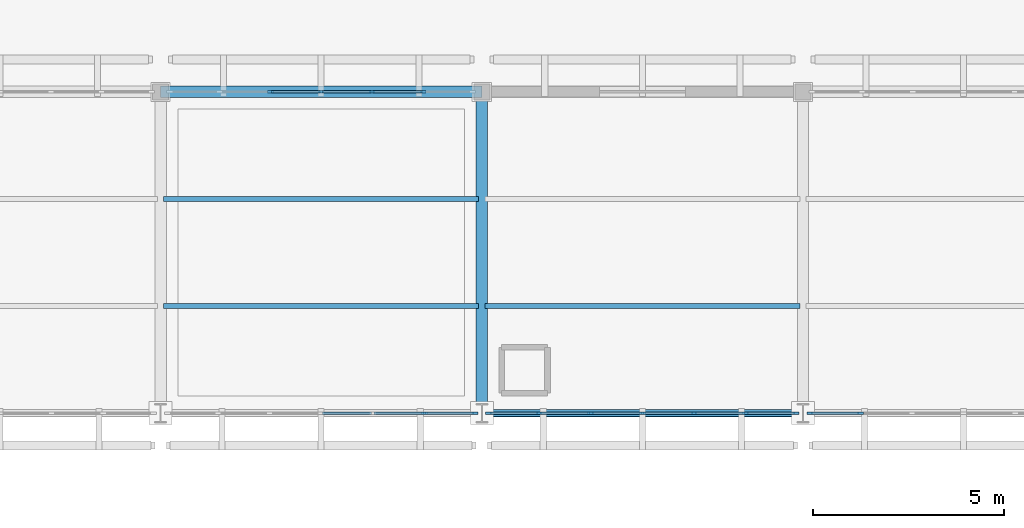
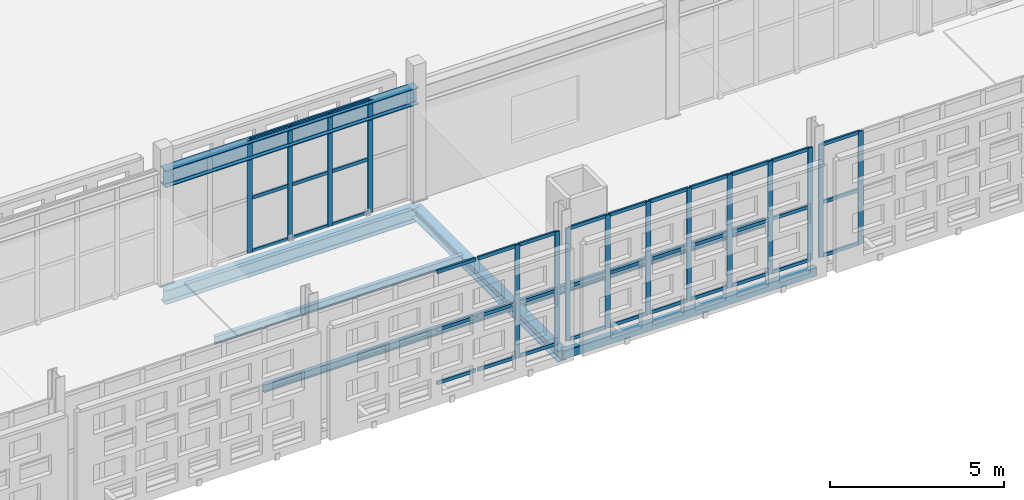
# One storey, part 55 of 203: 54 members, 7 beams, 4 elements without a shape of their own.
"""IFC4 building model written with IfcOpenShell, lengths in metres."""

from ifc_helpers import new_model, si_unit, direction, frame, origin, origin_2d, place, context, subcontext, project, spatial, rectangle, hollow_rectangle, i_section, extrude, material, layer, layer_set, material_profile, profile_set, type_object, element, aggregate, save


model = new_model("IFC4")

# Units and contexts
model_context = context("Model", 3, precision=1e-05, world=origin(), true_north=direction((0.0, 1.0)))
body_context = subcontext(model_context, "Body", "Model", "MODEL_VIEW")
ifc_project = project(units=[si_unit("LENGTHUNIT", "METRE"), si_unit("AREAUNIT", "SQUARE_METRE"), si_unit("VOLUMEUNIT", "CUBIC_METRE"), si_unit("PLANEANGLEUNIT", "RADIAN"), si_unit("MASSUNIT", "GRAM", prefix="KILO")], contexts=[model_context])

# Site, building, storey
site_placement = place(None, origin())
site = spatial("IfcSite", under=ifc_project, at=site_placement, CompositionType="ELEMENT")
building_placement = place(site_placement, origin())
building = spatial("IfcBuilding", under=site, at=building_placement, Name="Varnapada Polytechnic", CompositionType="ELEMENT")
storey_placement = place(building_placement, frame((0.0, 0.0, 4.800048828125)))
storey = spatial("IfcBuildingStorey", under=building, at=storey_placement, Name="L01", CompositionType="ELEMENT", Elevation=4.800048828125)

# Beams
ifc_material_1 = material(Name="Steel S355", Category="steel")
ifc_material_profile_1 = material_profile(ifc_material_1, i_section(OverallWidth=0.135009765625, OverallDepth=0.27001953125, WebThickness=0.006591796875, FlangeThickness=0.01025390625, FilletRadius=0.014892578125, at=origin_2d()), Name="IPE 270")
ifc_profile_set_1 = profile_set([ifc_material_profile_1], Name="Steel S355")
beam_type_1 = type_object("IfcBeamType", Name="Mezzanine heavy steel joist SJ-03 (IPE 270)", PredefinedType="JOIST", material=ifc_profile_set_1)
for number, where, z_axis, x_axis, name in (
    (1, (92.47998046875, 86.800048828125, -0.39501953125), (1.0, 0.0, 0.0), (0.0, 1.0, 0.0), "L01 floor joist 12/11.1"),
    (2, (92.47998046875, 89.60009765625, -0.39501953125), (1.0, 0.0, 0.0), (0.0, 1.0, 0.0), "L01 floor joist 12/11.2"),
):
    element("IfcBeam", number, at=place(storey_placement, frame(where, z_axis=z_axis, x_axis=x_axis)), inside=storey, type_object=beam_type_1, Name=name, PredefinedType="JOIST", context=body_context, shape_type="SweptSolid", body=[
        extrude(i_section(OverallWidth=0.135009765625, OverallDepth=0.27001953125, WebThickness=0.006591796875, FlangeThickness=0.01025390625, FilletRadius=0.014892578125, at=origin_2d()), origin(), (0.0, 0.0, 1.0), 8.239990234375),
    ])
beam_1_placement = place(storey_placement, frame((100.8798828125, 86.800048828125, -0.39501953125), z_axis=(1.0, 0.0, 0.0), x_axis=(0.0, 1.0, 0.0)))
element("IfcBeam", 3, at=beam_1_placement, inside=storey, type_object=beam_type_1, Name="L01 floor joist 13/11.1", PredefinedType="JOIST", context=body_context, shape_type="SweptSolid", body=[
    extrude(i_section(OverallWidth=0.135009765625, OverallDepth=0.27001953125, WebThickness=0.006591796875, FlangeThickness=0.01025390625, FilletRadius=0.014892578125, at=origin_2d()), origin(), (0.0, 0.0, 1.0), 8.240234375),
])

# Curtain wall, members
ifc_material_2 = material(Name="Double low-E laminated glass", Category="glass")
ifc_layer_1 = layer(ifc_material_2, 0.159912109375)
ifc_layer_set_1 = layer_set([ifc_layer_1], Name="Double low-E laminated glass")
curtain_wall_type_1 = type_object("IfcCurtainWallType", Name="Curtain Wall CW-01", PredefinedType="NOTDEFINED", material=ifc_layer_set_1)
curtain_wall_1_placement = place(storey_placement, origin())
curtain_wall_1 = element("IfcCurtainWall", 4, at=curtain_wall_1_placement, inside=storey, type_object=curtain_wall_type_1, Name="L01 unitised curtain wall CW-01 (76)", PredefinedType="NOTDEFINED")
ifc_material_3 = material(Name="Anodised aluminium", Category="aluminium")
ifc_material_profile_2 = material_profile(ifc_material_3, rectangle(XDim=0.06005859375, YDim=0.159912109375, at=origin_2d()), Name="ALU M60x160")
ifc_profile_set_2 = profile_set([ifc_material_profile_2], Name="Anodised aluminium")
member_type_1 = type_object("IfcMemberType", Name="Mullion M-01", PredefinedType="MULLION", material=ifc_profile_set_2)
member_1_placement = place(storey_placement, frame((100.6201171875, 84.0, 0.0), z_axis=(0.0, 0.0, 1.0), x_axis=(0.0, -1.0, 0.0)))
member_1 = element("IfcMember", 5, at=member_1_placement, type_object=member_type_1, Name="CW-01 mullion 1", PredefinedType="MULLION", context=body_context, shape_type="SweptSolid", body=[
    extrude(rectangle(XDim=0.06005859375, YDim=0.159912109375, at=origin_2d()), origin(), (0.0, 0.0, 1.0), 3.9599609375),
])
member_2_placement = place(storey_placement, frame((99.300048828125, 84.0, 0.0), z_axis=(0.0, 0.0, 1.0), x_axis=(0.0, -1.0, 0.0)))
member_2 = element("IfcMember", 6, at=member_2_placement, type_object=member_type_1, Name="CW-01 mullion 2", PredefinedType="MULLION", context=body_context, shape_type="SweptSolid", body=[
    extrude(rectangle(XDim=0.06005859375, YDim=0.159912109375, at=origin_2d()), origin(), (0.0, 0.0, 1.0), 3.9599609375),
])

ifc_layer_2 = layer(ifc_material_2, 0.159912109375)
ifc_layer_set_2 = layer_set([ifc_layer_2], Name="Double low-E laminated glass")
curtain_wall_type_2 = type_object("IfcCurtainWallType", Name="Curtain Wall CW-02", PredefinedType="NOTDEFINED", material=ifc_layer_set_2)
curtain_wall_2_placement = place(storey_placement, origin())
curtain_wall_2 = element("IfcCurtainWall", 7, at=curtain_wall_2_placement, inside=storey, type_object=curtain_wall_type_2, Name="L01 unitised curtain wall CW-02 (77)", PredefinedType="NOTDEFINED")
member_3_placement = place(storey_placement, frame((95.27001953125, 92.39990234375, 0.0), z_axis=(0.0, 0.0, 1.0), x_axis=(0.0, 1.0, 0.0)))
member_3 = element("IfcMember", 8, at=member_3_placement, type_object=member_type_1, Name="CW-02 mullion 3", PredefinedType="MULLION", context=body_context, shape_type="SweptSolid", body=[
    extrude(rectangle(XDim=0.06005859375, YDim=0.159912109375, at=origin_2d()), origin(), (0.0, 0.0, 1.0), 3.9599609375),
])
member_4_placement = place(storey_placement, frame((96.60009765625, 92.39990234375, 0.0), z_axis=(0.0, 0.0, 1.0), x_axis=(0.0, 1.0, 0.0)))
member_4 = element("IfcMember", 9, at=member_4_placement, type_object=member_type_1, Name="CW-02 mullion 4", PredefinedType="MULLION", context=body_context, shape_type="SweptSolid", body=[
    extrude(rectangle(XDim=0.06005859375, YDim=0.159912109375, at=origin_2d()), origin(), (0.0, 0.0, 1.0), 3.9599609375),
])
member_5_placement = place(storey_placement, frame((97.929931640625, 92.39990234375, 0.0), z_axis=(0.0, 0.0, 1.0), x_axis=(0.0, 1.0, 0.0)))
member_5 = element("IfcMember", 10, at=member_5_placement, type_object=member_type_1, Name="CW-02 mullion 5", PredefinedType="MULLION", context=body_context, shape_type="SweptSolid", body=[
    extrude(rectangle(XDim=0.06005859375, YDim=0.159912109375, at=origin_2d()), origin(), (0.0, 0.0, 1.0), 3.9599609375),
])
member_6_placement = place(storey_placement, frame((99.260009765625, 92.39990234375, 0.0), z_axis=(0.0, 0.0, 1.0), x_axis=(0.0, 1.0, 0.0)))
member_6 = element("IfcMember", 11, at=member_6_placement, type_object=member_type_1, Name="CW-02 mullion 6", PredefinedType="MULLION", context=body_context, shape_type="SweptSolid", body=[
    extrude(rectangle(XDim=0.06005859375, YDim=0.159912109375, at=origin_2d()), origin(), (0.0, 0.0, 1.0), 3.9599609375),
])

curtain_wall_3_placement = place(storey_placement, origin())
curtain_wall_3 = element("IfcCurtainWall", 12, at=curtain_wall_3_placement, inside=storey, type_object=curtain_wall_type_1, Name="L01 unitised curtain wall CW-01 (80)", PredefinedType="NOTDEFINED")
member_7_placement = place(storey_placement, frame((109.02001953125, 84.0, 0.0), z_axis=(0.0, 0.0, 1.0), x_axis=(0.0, -1.0, 0.0)))
member_7 = element("IfcMember", 13, at=member_7_placement, type_object=member_type_1, Name="CW-01 mullion 1", PredefinedType="MULLION", context=body_context, shape_type="SweptSolid", body=[
    extrude(rectangle(XDim=0.06005859375, YDim=0.159912109375, at=origin_2d()), origin(), (0.0, 0.0, 1.0), 3.9599609375),
])
member_8_placement = place(storey_placement, frame((107.699951171875, 84.0, 0.0), z_axis=(0.0, 0.0, 1.0), x_axis=(0.0, -1.0, 0.0)))
member_8 = element("IfcMember", 14, at=member_8_placement, type_object=member_type_1, Name="CW-01 mullion 2", PredefinedType="MULLION", context=body_context, shape_type="SweptSolid", body=[
    extrude(rectangle(XDim=0.06005859375, YDim=0.159912109375, at=origin_2d()), origin(), (0.0, 0.0, 1.0), 3.9599609375),
])
member_9_placement = place(storey_placement, frame((106.35009765625, 84.0, 0.0), z_axis=(0.0, 0.0, 1.0), x_axis=(0.0, -1.0, 0.0)))
member_9 = element("IfcMember", 15, at=member_9_placement, type_object=member_type_1, Name="CW-01 mullion 3", PredefinedType="MULLION", context=body_context, shape_type="SweptSolid", body=[
    extrude(rectangle(XDim=0.06005859375, YDim=0.159912109375, at=origin_2d()), origin(), (0.0, 0.0, 1.0), 3.9599609375),
])
member_10_placement = place(storey_placement, frame((105.0, 84.0, 0.0), z_axis=(0.0, 0.0, 1.0), x_axis=(0.0, -1.0, 0.0)))
member_10 = element("IfcMember", 16, at=member_10_placement, type_object=member_type_1, Name="CW-01 mullion 4", PredefinedType="MULLION", context=body_context, shape_type="SweptSolid", body=[
    extrude(rectangle(XDim=0.06005859375, YDim=0.159912109375, at=origin_2d()), origin(), (0.0, 0.0, 1.0), 3.9599609375),
])
member_11_placement = place(storey_placement, frame((103.64990234375, 84.0, 0.0), z_axis=(0.0, 0.0, 1.0), x_axis=(0.0, -1.0, 0.0)))
member_11 = element("IfcMember", 17, at=member_11_placement, type_object=member_type_1, Name="CW-01 mullion 5", PredefinedType="MULLION", context=body_context, shape_type="SweptSolid", body=[
    extrude(rectangle(XDim=0.06005859375, YDim=0.159912109375, at=origin_2d()), origin(), (0.0, 0.0, 1.0), 3.9599609375),
])
member_12_placement = place(storey_placement, frame((102.300048828125, 84.0, 0.0), z_axis=(0.0, 0.0, 1.0), x_axis=(0.0, -1.0, 0.0)))
member_12 = element("IfcMember", 18, at=member_12_placement, type_object=member_type_1, Name="CW-01 mullion 6", PredefinedType="MULLION", context=body_context, shape_type="SweptSolid", body=[
    extrude(rectangle(XDim=0.06005859375, YDim=0.159912109375, at=origin_2d()), origin(), (0.0, 0.0, 1.0), 3.9599609375),
])
member_13_placement = place(storey_placement, frame((100.97998046875, 84.0, 0.0), z_axis=(0.0, 0.0, 1.0), x_axis=(0.0, -1.0, 0.0)))
member_13 = element("IfcMember", 19, at=member_13_placement, type_object=member_type_1, Name="CW-01 mullion 7", PredefinedType="MULLION", context=body_context, shape_type="SweptSolid", body=[
    extrude(rectangle(XDim=0.06005859375, YDim=0.159912109375, at=origin_2d()), origin(), (0.0, 0.0, 1.0), 3.9599609375),
])

curtain_wall_4_placement = place(storey_placement, origin())
curtain_wall_4 = element("IfcCurtainWall", 20, at=curtain_wall_4_placement, inside=storey, type_object=curtain_wall_type_1, Name="L01 unitised curtain wall CW-01 (85)", PredefinedType="NOTDEFINED")
member_14_placement = place(storey_placement, frame((110.699951171875, 84.0, 0.0), z_axis=(0.0, 0.0, 1.0), x_axis=(0.0, -1.0, 0.0)))
member_14 = element("IfcMember", 21, at=member_14_placement, type_object=member_type_1, Name="CW-01 mullion 6", PredefinedType="MULLION", context=body_context, shape_type="SweptSolid", body=[
    extrude(rectangle(XDim=0.06005859375, YDim=0.159912109375, at=origin_2d()), origin(), (0.0, 0.0, 1.0), 3.9599609375),
])
member_15_placement = place(storey_placement, frame((109.3798828125, 84.0, 0.0), z_axis=(0.0, 0.0, 1.0), x_axis=(0.0, -1.0, 0.0)))
member_15 = element("IfcMember", 22, at=member_15_placement, type_object=member_type_1, Name="CW-01 mullion 7", PredefinedType="MULLION", context=body_context, shape_type="SweptSolid", body=[
    extrude(rectangle(XDim=0.06005859375, YDim=0.159912109375, at=origin_2d()), origin(), (0.0, 0.0, 1.0), 3.9599609375),
])

# Beam
ifc_material_profile_3 = material_profile(ifc_material_1, i_section(OverallWidth=0.300048828125, OverallDepth=0.389892578125, WebThickness=0.010986328125, FlangeThickness=0.01904296875, FilletRadius=0.027099609375, at=origin_2d()), Name="HEA 400")
ifc_profile_set_3 = profile_set([ifc_material_profile_3], Name="Steel S355")
beam_type_2 = type_object("IfcBeamType", Name="Steel roof primary girder SG-01 (HEA 400)", PredefinedType="BEAM", material=ifc_profile_set_3)
beam_2_placement = place(storey_placement, frame((100.800048828125, 84.0, -0.465087890625), z_axis=(0.0, 1.0, 0.0), x_axis=(-1.0, 0.0, 0.0)))
element("IfcBeam", 23, at=beam_2_placement, inside=storey, type_object=beam_type_2, Name="L01 beam Y 11-12 at X13", PredefinedType="BEAM", context=body_context, shape_type="SweptSolid", body=[
    extrude(i_section(OverallWidth=0.300048828125, OverallDepth=0.389892578125, WebThickness=0.010986328125, FlangeThickness=0.01904296875, FilletRadius=0.027099609375, at=origin_2d()), origin(), (0.0, 0.0, 1.0), 8.39990234375),
])

# Member
ifc_material_profile_4 = material_profile(ifc_material_3, rectangle(XDim=0.06005859375, YDim=0.1201171875, at=origin_2d()), Name="ALU T60x120")
ifc_profile_set_4 = profile_set([ifc_material_profile_4], Name="Anodised aluminium")
member_type_2 = type_object("IfcMemberType", Name="Transom T-01", PredefinedType="USERDEFINED", material=ifc_profile_set_4)
member_16_placement = place(storey_placement, frame((100.590087890625, 84.0, 0.030029296875), z_axis=(-1.0, 0.0, 0.0), x_axis=(0.0, -1.0, 0.0)))
member_16 = element("IfcMember", 24, at=member_16_placement, type_object=member_type_2, Name="CW-01 transom 1.1", ObjectType="TRANSOM", PredefinedType="USERDEFINED", context=body_context, shape_type="SweptSolid", body=[
    extrude(rectangle(XDim=0.06005859375, YDim=0.1201171875, at=origin_2d()), origin(), (0.0, 0.0, 1.0), 1.260009765625),
])

member_17_placement = place(storey_placement, frame((100.590087890625, 84.0, 1.900634765625), z_axis=(-1.0, 0.0, 0.0), x_axis=(0.0, -1.0, 0.0)))
member_17 = element("IfcMember", 25, at=member_17_placement, type_object=member_type_2, Name="CW-01 transom 1.2", ObjectType="TRANSOM", PredefinedType="USERDEFINED", context=body_context, shape_type="SweptSolid", body=[
    extrude(rectangle(XDim=0.06005859375, YDim=0.1201171875, at=origin_2d()), origin(), (0.0, 0.0, 1.0), 1.260009765625),
])

member_18_placement = place(storey_placement, frame((100.590087890625, 84.0, 3.929931640625), z_axis=(-1.0, 0.0, 0.0), x_axis=(0.0, -1.0, 0.0)))
member_18 = element("IfcMember", 26, at=member_18_placement, type_object=member_type_2, Name="CW-01 transom 1.3", ObjectType="TRANSOM", PredefinedType="USERDEFINED", context=body_context, shape_type="SweptSolid", body=[
    extrude(rectangle(XDim=0.06005859375, YDim=0.1201171875, at=origin_2d()), origin(), (0.0, 0.0, 1.0), 1.260009765625),
])

member_19_placement = place(storey_placement, frame((99.27001953125, 84.0, 0.030029296875), z_axis=(-1.0, 0.0, 0.0), x_axis=(0.0, -1.0, 0.0)))
member_19 = element("IfcMember", 27, at=member_19_placement, type_object=member_type_2, Name="CW-01 transom 2.1", ObjectType="TRANSOM", PredefinedType="USERDEFINED", context=body_context, shape_type="SweptSolid", body=[
    extrude(rectangle(XDim=0.06005859375, YDim=0.1201171875, at=origin_2d()), origin(), (0.0, 0.0, 1.0), 1.2900390625),
])

member_20_placement = place(storey_placement, frame((99.27001953125, 84.0, 1.900634765625), z_axis=(-1.0, 0.0, 0.0), x_axis=(0.0, -1.0, 0.0)))
member_20 = element("IfcMember", 28, at=member_20_placement, type_object=member_type_2, Name="CW-01 transom 2.2", ObjectType="TRANSOM", PredefinedType="USERDEFINED", context=body_context, shape_type="SweptSolid", body=[
    extrude(rectangle(XDim=0.06005859375, YDim=0.1201171875, at=origin_2d()), origin(), (0.0, 0.0, 1.0), 1.2900390625),
])

member_21_placement = place(storey_placement, frame((99.27001953125, 84.0, 3.929931640625), z_axis=(-1.0, 0.0, 0.0), x_axis=(0.0, -1.0, 0.0)))
member_21 = element("IfcMember", 29, at=member_21_placement, type_object=member_type_2, Name="CW-01 transom 2.3", ObjectType="TRANSOM", PredefinedType="USERDEFINED", context=body_context, shape_type="SweptSolid", body=[
    extrude(rectangle(XDim=0.06005859375, YDim=0.1201171875, at=origin_2d()), origin(), (0.0, 0.0, 1.0), 1.2900390625),
])

member_22_placement = place(storey_placement, frame((97.919921875, 84.0, 0.030029296875), z_axis=(-1.0, 0.0, 0.0), x_axis=(0.0, -1.0, 0.0)))
member_22 = element("IfcMember", 30, at=member_22_placement, type_object=member_type_2, Name="CW-01 transom 3.1", ObjectType="TRANSOM", PredefinedType="USERDEFINED", context=body_context, shape_type="SweptSolid", body=[
    extrude(rectangle(XDim=0.06005859375, YDim=0.1201171875, at=origin_2d()), origin(), (0.0, 0.0, 1.0), 1.2900390625),
])

member_23_placement = place(storey_placement, frame((97.919921875, 84.0, 1.900634765625), z_axis=(-1.0, 0.0, 0.0), x_axis=(0.0, -1.0, 0.0)))
member_23 = element("IfcMember", 31, at=member_23_placement, type_object=member_type_2, Name="CW-01 transom 3.2", ObjectType="TRANSOM", PredefinedType="USERDEFINED", context=body_context, shape_type="SweptSolid", body=[
    extrude(rectangle(XDim=0.06005859375, YDim=0.1201171875, at=origin_2d()), origin(), (0.0, 0.0, 1.0), 1.2900390625),
])

member_24_placement = place(storey_placement, frame((97.919921875, 84.0, 3.929931640625), z_axis=(-1.0, 0.0, 0.0), x_axis=(0.0, -1.0, 0.0)))
member_24 = element("IfcMember", 32, at=member_24_placement, type_object=member_type_2, Name="CW-01 transom 3.3", ObjectType="TRANSOM", PredefinedType="USERDEFINED", context=body_context, shape_type="SweptSolid", body=[
    extrude(rectangle(XDim=0.06005859375, YDim=0.1201171875, at=origin_2d()), origin(), (0.0, 0.0, 1.0), 1.2900390625),
])

aggregate(curtain_wall_1, [member_1, member_2, member_16, member_17, member_18, member_19, member_20, member_21, member_22, member_23, member_24])

member_25_placement = place(storey_placement, frame((95.300048828125, 92.39990234375, 0.030029296875), z_axis=(1.0, 0.0, 0.0), x_axis=(0.0, 1.0, 0.0)))
member_25 = element("IfcMember", 33, at=member_25_placement, type_object=member_type_2, Name="CW-02 transom 3.1", ObjectType="TRANSOM", PredefinedType="USERDEFINED", context=body_context, shape_type="SweptSolid", body=[
    extrude(rectangle(XDim=0.06005859375, YDim=0.1201171875, at=origin_2d()), origin(), (0.0, 0.0, 1.0), 1.27001953125),
])

member_26_placement = place(storey_placement, frame((95.300048828125, 92.39990234375, 1.900634765625), z_axis=(1.0, 0.0, 0.0), x_axis=(0.0, 1.0, 0.0)))
member_26 = element("IfcMember", 34, at=member_26_placement, type_object=member_type_2, Name="CW-02 transom 3.2", ObjectType="TRANSOM", PredefinedType="USERDEFINED", context=body_context, shape_type="SweptSolid", body=[
    extrude(rectangle(XDim=0.06005859375, YDim=0.1201171875, at=origin_2d()), origin(), (0.0, 0.0, 1.0), 1.27001953125),
])

member_27_placement = place(storey_placement, frame((95.300048828125, 92.39990234375, 3.929931640625), z_axis=(1.0, 0.0, 0.0), x_axis=(0.0, 1.0, 0.0)))
member_27 = element("IfcMember", 35, at=member_27_placement, type_object=member_type_2, Name="CW-02 transom 3.3", ObjectType="TRANSOM", PredefinedType="USERDEFINED", context=body_context, shape_type="SweptSolid", body=[
    extrude(rectangle(XDim=0.06005859375, YDim=0.1201171875, at=origin_2d()), origin(), (0.0, 0.0, 1.0), 1.27001953125),
])

member_28_placement = place(storey_placement, frame((96.6298828125, 92.39990234375, 0.030029296875), z_axis=(1.0, 0.0, 0.0), x_axis=(0.0, 1.0, 0.0)))
member_28 = element("IfcMember", 36, at=member_28_placement, type_object=member_type_2, Name="CW-02 transom 4.1", ObjectType="TRANSOM", PredefinedType="USERDEFINED", context=body_context, shape_type="SweptSolid", body=[
    extrude(rectangle(XDim=0.06005859375, YDim=0.1201171875, at=origin_2d()), origin(), (0.0, 0.0, 1.0), 1.27001953125),
])

member_29_placement = place(storey_placement, frame((96.6298828125, 92.39990234375, 1.900634765625), z_axis=(1.0, 0.0, 0.0), x_axis=(0.0, 1.0, 0.0)))
member_29 = element("IfcMember", 37, at=member_29_placement, type_object=member_type_2, Name="CW-02 transom 4.2", ObjectType="TRANSOM", PredefinedType="USERDEFINED", context=body_context, shape_type="SweptSolid", body=[
    extrude(rectangle(XDim=0.06005859375, YDim=0.1201171875, at=origin_2d()), origin(), (0.0, 0.0, 1.0), 1.27001953125),
])

member_30_placement = place(storey_placement, frame((96.6298828125, 92.39990234375, 3.929931640625), z_axis=(1.0, 0.0, 0.0), x_axis=(0.0, 1.0, 0.0)))
member_30 = element("IfcMember", 38, at=member_30_placement, type_object=member_type_2, Name="CW-02 transom 4.3", ObjectType="TRANSOM", PredefinedType="USERDEFINED", context=body_context, shape_type="SweptSolid", body=[
    extrude(rectangle(XDim=0.06005859375, YDim=0.1201171875, at=origin_2d()), origin(), (0.0, 0.0, 1.0), 1.27001953125),
])

member_31_placement = place(storey_placement, frame((97.9599609375, 92.39990234375, 0.030029296875), z_axis=(1.0, 0.0, 0.0), x_axis=(0.0, 1.0, 0.0)))
member_31 = element("IfcMember", 39, at=member_31_placement, type_object=member_type_2, Name="CW-02 transom 5.1", ObjectType="TRANSOM", PredefinedType="USERDEFINED", context=body_context, shape_type="SweptSolid", body=[
    extrude(rectangle(XDim=0.06005859375, YDim=0.1201171875, at=origin_2d()), origin(), (0.0, 0.0, 1.0), 1.27001953125),
])

member_32_placement = place(storey_placement, frame((97.9599609375, 92.39990234375, 1.900634765625), z_axis=(1.0, 0.0, 0.0), x_axis=(0.0, 1.0, 0.0)))
member_32 = element("IfcMember", 40, at=member_32_placement, type_object=member_type_2, Name="CW-02 transom 5.2", ObjectType="TRANSOM", PredefinedType="USERDEFINED", context=body_context, shape_type="SweptSolid", body=[
    extrude(rectangle(XDim=0.06005859375, YDim=0.1201171875, at=origin_2d()), origin(), (0.0, 0.0, 1.0), 1.27001953125),
])

member_33_placement = place(storey_placement, frame((97.9599609375, 92.39990234375, 3.929931640625), z_axis=(1.0, 0.0, 0.0), x_axis=(0.0, 1.0, 0.0)))
member_33 = element("IfcMember", 41, at=member_33_placement, type_object=member_type_2, Name="CW-02 transom 5.3", ObjectType="TRANSOM", PredefinedType="USERDEFINED", context=body_context, shape_type="SweptSolid", body=[
    extrude(rectangle(XDim=0.06005859375, YDim=0.1201171875, at=origin_2d()), origin(), (0.0, 0.0, 1.0), 1.27001953125),
])

aggregate(curtain_wall_2, [member_3, member_4, member_5, member_6, member_25, member_26, member_27, member_28, member_29, member_30, member_31, member_32, member_33])

member_34_placement = place(storey_placement, frame((108.989990234375, 84.0, 0.030029296875), z_axis=(-1.0, 0.0, 0.0), x_axis=(0.0, -1.0, 0.0)))
member_34 = element("IfcMember", 42, at=member_34_placement, type_object=member_type_2, Name="CW-01 transom 1.1", ObjectType="TRANSOM", PredefinedType="USERDEFINED", context=body_context, shape_type="SweptSolid", body=[
    extrude(rectangle(XDim=0.06005859375, YDim=0.1201171875, at=origin_2d()), origin(), (0.0, 0.0, 1.0), 1.260009765625),
])

member_35_placement = place(storey_placement, frame((108.989990234375, 84.0, 1.900634765625), z_axis=(-1.0, 0.0, 0.0), x_axis=(0.0, -1.0, 0.0)))
member_35 = element("IfcMember", 43, at=member_35_placement, type_object=member_type_2, Name="CW-01 transom 1.2", ObjectType="TRANSOM", PredefinedType="USERDEFINED", context=body_context, shape_type="SweptSolid", body=[
    extrude(rectangle(XDim=0.06005859375, YDim=0.1201171875, at=origin_2d()), origin(), (0.0, 0.0, 1.0), 1.260009765625),
])

member_36_placement = place(storey_placement, frame((108.989990234375, 84.0, 3.929931640625), z_axis=(-1.0, 0.0, 0.0), x_axis=(0.0, -1.0, 0.0)))
member_36 = element("IfcMember", 44, at=member_36_placement, type_object=member_type_2, Name="CW-01 transom 1.3", ObjectType="TRANSOM", PredefinedType="USERDEFINED", context=body_context, shape_type="SweptSolid", body=[
    extrude(rectangle(XDim=0.06005859375, YDim=0.1201171875, at=origin_2d()), origin(), (0.0, 0.0, 1.0), 1.260009765625),
])

member_37_placement = place(storey_placement, frame((107.669921875, 84.0, 0.030029296875), z_axis=(-1.0, 0.0, 0.0), x_axis=(0.0, -1.0, 0.0)))
member_37 = element("IfcMember", 45, at=member_37_placement, type_object=member_type_2, Name="CW-01 transom 2.1", ObjectType="TRANSOM", PredefinedType="USERDEFINED", context=body_context, shape_type="SweptSolid", body=[
    extrude(rectangle(XDim=0.06005859375, YDim=0.1201171875, at=origin_2d()), origin(), (0.0, 0.0, 1.0), 1.2900390625),
])

member_38_placement = place(storey_placement, frame((107.669921875, 84.0, 1.900634765625), z_axis=(-1.0, 0.0, 0.0), x_axis=(0.0, -1.0, 0.0)))
member_38 = element("IfcMember", 46, at=member_38_placement, type_object=member_type_2, Name="CW-01 transom 2.2", ObjectType="TRANSOM", PredefinedType="USERDEFINED", context=body_context, shape_type="SweptSolid", body=[
    extrude(rectangle(XDim=0.06005859375, YDim=0.1201171875, at=origin_2d()), origin(), (0.0, 0.0, 1.0), 1.2900390625),
])

member_39_placement = place(storey_placement, frame((107.669921875, 84.0, 3.929931640625), z_axis=(-1.0, 0.0, 0.0), x_axis=(0.0, -1.0, 0.0)))
member_39 = element("IfcMember", 47, at=member_39_placement, type_object=member_type_2, Name="CW-01 transom 2.3", ObjectType="TRANSOM", PredefinedType="USERDEFINED", context=body_context, shape_type="SweptSolid", body=[
    extrude(rectangle(XDim=0.06005859375, YDim=0.1201171875, at=origin_2d()), origin(), (0.0, 0.0, 1.0), 1.2900390625),
])

member_40_placement = place(storey_placement, frame((106.320068359375, 84.0, 0.030029296875), z_axis=(-1.0, 0.0, 0.0), x_axis=(0.0, -1.0, 0.0)))
member_40 = element("IfcMember", 48, at=member_40_placement, type_object=member_type_2, Name="CW-01 transom 3.1", ObjectType="TRANSOM", PredefinedType="USERDEFINED", context=body_context, shape_type="SweptSolid", body=[
    extrude(rectangle(XDim=0.06005859375, YDim=0.1201171875, at=origin_2d()), origin(), (0.0, 0.0, 1.0), 1.2900390625),
])

member_41_placement = place(storey_placement, frame((106.320068359375, 84.0, 1.900634765625), z_axis=(-1.0, 0.0, 0.0), x_axis=(0.0, -1.0, 0.0)))
member_41 = element("IfcMember", 49, at=member_41_placement, type_object=member_type_2, Name="CW-01 transom 3.2", ObjectType="TRANSOM", PredefinedType="USERDEFINED", context=body_context, shape_type="SweptSolid", body=[
    extrude(rectangle(XDim=0.06005859375, YDim=0.1201171875, at=origin_2d()), origin(), (0.0, 0.0, 1.0), 1.2900390625),
])

member_42_placement = place(storey_placement, frame((106.320068359375, 84.0, 3.929931640625), z_axis=(-1.0, 0.0, 0.0), x_axis=(0.0, -1.0, 0.0)))
member_42 = element("IfcMember", 50, at=member_42_placement, type_object=member_type_2, Name="CW-01 transom 3.3", ObjectType="TRANSOM", PredefinedType="USERDEFINED", context=body_context, shape_type="SweptSolid", body=[
    extrude(rectangle(XDim=0.06005859375, YDim=0.1201171875, at=origin_2d()), origin(), (0.0, 0.0, 1.0), 1.2900390625),
])

member_43_placement = place(storey_placement, frame((104.969970703125, 84.0, 0.030029296875), z_axis=(-1.0, 0.0, 0.0), x_axis=(0.0, -1.0, 0.0)))
member_43 = element("IfcMember", 51, at=member_43_placement, type_object=member_type_2, Name="CW-01 transom 4.1", ObjectType="TRANSOM", PredefinedType="USERDEFINED", context=body_context, shape_type="SweptSolid", body=[
    extrude(rectangle(XDim=0.06005859375, YDim=0.1201171875, at=origin_2d()), origin(), (0.0, 0.0, 1.0), 1.2900390625),
])

member_44_placement = place(storey_placement, frame((104.969970703125, 84.0, 1.900634765625), z_axis=(-1.0, 0.0, 0.0), x_axis=(0.0, -1.0, 0.0)))
member_44 = element("IfcMember", 52, at=member_44_placement, type_object=member_type_2, Name="CW-01 transom 4.2", ObjectType="TRANSOM", PredefinedType="USERDEFINED", context=body_context, shape_type="SweptSolid", body=[
    extrude(rectangle(XDim=0.06005859375, YDim=0.1201171875, at=origin_2d()), origin(), (0.0, 0.0, 1.0), 1.2900390625),
])

member_45_placement = place(storey_placement, frame((104.969970703125, 84.0, 3.929931640625), z_axis=(-1.0, 0.0, 0.0), x_axis=(0.0, -1.0, 0.0)))
member_45 = element("IfcMember", 53, at=member_45_placement, type_object=member_type_2, Name="CW-01 transom 4.3", ObjectType="TRANSOM", PredefinedType="USERDEFINED", context=body_context, shape_type="SweptSolid", body=[
    extrude(rectangle(XDim=0.06005859375, YDim=0.1201171875, at=origin_2d()), origin(), (0.0, 0.0, 1.0), 1.2900390625),
])

member_46_placement = place(storey_placement, frame((103.6201171875, 84.0, 0.030029296875), z_axis=(-1.0, 0.0, 0.0), x_axis=(0.0, -1.0, 0.0)))
member_46 = element("IfcMember", 54, at=member_46_placement, type_object=member_type_2, Name="CW-01 transom 5.1", ObjectType="TRANSOM", PredefinedType="USERDEFINED", context=body_context, shape_type="SweptSolid", body=[
    extrude(rectangle(XDim=0.06005859375, YDim=0.1201171875, at=origin_2d()), origin(), (0.0, 0.0, 1.0), 1.2900390625),
])

member_47_placement = place(storey_placement, frame((103.6201171875, 84.0, 1.900634765625), z_axis=(-1.0, 0.0, 0.0), x_axis=(0.0, -1.0, 0.0)))
member_47 = element("IfcMember", 55, at=member_47_placement, type_object=member_type_2, Name="CW-01 transom 5.2", ObjectType="TRANSOM", PredefinedType="USERDEFINED", context=body_context, shape_type="SweptSolid", body=[
    extrude(rectangle(XDim=0.06005859375, YDim=0.1201171875, at=origin_2d()), origin(), (0.0, 0.0, 1.0), 1.2900390625),
])

member_48_placement = place(storey_placement, frame((103.6201171875, 84.0, 3.929931640625), z_axis=(-1.0, 0.0, 0.0), x_axis=(0.0, -1.0, 0.0)))
member_48 = element("IfcMember", 56, at=member_48_placement, type_object=member_type_2, Name="CW-01 transom 5.3", ObjectType="TRANSOM", PredefinedType="USERDEFINED", context=body_context, shape_type="SweptSolid", body=[
    extrude(rectangle(XDim=0.06005859375, YDim=0.1201171875, at=origin_2d()), origin(), (0.0, 0.0, 1.0), 1.2900390625),
])

member_49_placement = place(storey_placement, frame((102.27001953125, 84.0, 0.030029296875), z_axis=(-1.0, 0.0, 0.0), x_axis=(0.0, -1.0, 0.0)))
member_49 = element("IfcMember", 57, at=member_49_placement, type_object=member_type_2, Name="CW-01 transom 6.1", ObjectType="TRANSOM", PredefinedType="USERDEFINED", context=body_context, shape_type="SweptSolid", body=[
    extrude(rectangle(XDim=0.06005859375, YDim=0.1201171875, at=origin_2d()), origin(), (0.0, 0.0, 1.0), 1.260009765625),
])

member_50_placement = place(storey_placement, frame((102.27001953125, 84.0, 1.900634765625), z_axis=(-1.0, 0.0, 0.0), x_axis=(0.0, -1.0, 0.0)))
member_50 = element("IfcMember", 58, at=member_50_placement, type_object=member_type_2, Name="CW-01 transom 6.2", ObjectType="TRANSOM", PredefinedType="USERDEFINED", context=body_context, shape_type="SweptSolid", body=[
    extrude(rectangle(XDim=0.06005859375, YDim=0.1201171875, at=origin_2d()), origin(), (0.0, 0.0, 1.0), 1.260009765625),
])

member_51_placement = place(storey_placement, frame((102.27001953125, 84.0, 3.929931640625), z_axis=(-1.0, 0.0, 0.0), x_axis=(0.0, -1.0, 0.0)))
member_51 = element("IfcMember", 59, at=member_51_placement, type_object=member_type_2, Name="CW-01 transom 6.3", ObjectType="TRANSOM", PredefinedType="USERDEFINED", context=body_context, shape_type="SweptSolid", body=[
    extrude(rectangle(XDim=0.06005859375, YDim=0.1201171875, at=origin_2d()), origin(), (0.0, 0.0, 1.0), 1.260009765625),
])

aggregate(curtain_wall_3, [member_7, member_8, member_9, member_10, member_11, member_12, member_13, member_34, member_35, member_36, member_37, member_38, member_39, member_40, member_41, member_42, member_43, member_44, member_45, member_46, member_47, member_48, member_49, member_50, member_51])

member_52_placement = place(storey_placement, frame((110.669921875, 84.0, 0.030029296875), z_axis=(-1.0, 0.0, 0.0), x_axis=(0.0, -1.0, 0.0)))
member_52 = element("IfcMember", 60, at=member_52_placement, type_object=member_type_2, Name="CW-01 transom 6.1", ObjectType="TRANSOM", PredefinedType="USERDEFINED", context=body_context, shape_type="SweptSolid", body=[
    extrude(rectangle(XDim=0.06005859375, YDim=0.1201171875, at=origin_2d()), origin(), (0.0, 0.0, 1.0), 1.260009765625),
])

member_53_placement = place(storey_placement, frame((110.669921875, 84.0, 1.900634765625), z_axis=(-1.0, 0.0, 0.0), x_axis=(0.0, -1.0, 0.0)))
member_53 = element("IfcMember", 61, at=member_53_placement, type_object=member_type_2, Name="CW-01 transom 6.2", ObjectType="TRANSOM", PredefinedType="USERDEFINED", context=body_context, shape_type="SweptSolid", body=[
    extrude(rectangle(XDim=0.06005859375, YDim=0.1201171875, at=origin_2d()), origin(), (0.0, 0.0, 1.0), 1.260009765625),
])

member_54_placement = place(storey_placement, frame((110.669921875, 84.0, 3.929931640625), z_axis=(-1.0, 0.0, 0.0), x_axis=(0.0, -1.0, 0.0)))
member_54 = element("IfcMember", 62, at=member_54_placement, type_object=member_type_2, Name="CW-01 transom 6.3", ObjectType="TRANSOM", PredefinedType="USERDEFINED", context=body_context, shape_type="SweptSolid", body=[
    extrude(rectangle(XDim=0.06005859375, YDim=0.1201171875, at=origin_2d()), origin(), (0.0, 0.0, 1.0), 1.260009765625),
])

aggregate(curtain_wall_4, [member_14, member_15, member_52, member_53, member_54])

# Beams
ifc_material_profile_5 = material_profile(ifc_material_1, i_section(OverallWidth=0.300048828125, OverallDepth=0.590087890625, WebThickness=0.012939453125, FlangeThickness=0.02490234375, FilletRadius=0.027099609375, at=origin_2d()), Name="HEA 600")
ifc_profile_set_5 = profile_set([ifc_material_profile_5], Name="Steel S355")
beam_type_3 = type_object("IfcBeamType", Name="Workshop bridge crane runway girder CR-01 (HEA 600)", PredefinedType="BEAM", material=ifc_profile_set_5)
beam_3_placement = place(storey_placement, frame((92.39990234375, 92.39990234375, 3.64501953125), z_axis=(1.0, 0.0, 0.0), x_axis=(0.0, 1.0, 0.0)))
element("IfcBeam", 63, at=beam_3_placement, inside=storey, type_object=beam_type_3, Name="Workshop bridge crane runway girder 12-13 line 12", PredefinedType="BEAM", context=body_context, shape_type="SweptSolid", body=[
    extrude(i_section(OverallWidth=0.300048828125, OverallDepth=0.590087890625, WebThickness=0.012939453125, FlangeThickness=0.02490234375, FilletRadius=0.027099609375, at=origin_2d()), origin(), (0.0, 0.0, 1.0), 8.400146484375),
])
ifc_material_profile_6 = material_profile(ifc_material_1, i_section(OverallWidth=0.300048828125, OverallDepth=0.489990234375, WebThickness=0.011962890625, FlangeThickness=0.02294921875, FilletRadius=0.027099609375, at=origin_2d()), Name="HEA 500")
ifc_profile_set_6 = profile_set([ifc_material_profile_6], Name="Steel S355")
beam_type_4 = type_object("IfcBeamType", Name="Workshop gallery edge girder CR-02 (HEA 500)", PredefinedType="BEAM", material=ifc_profile_set_6)
beam_4_placement = place(storey_placement, frame((92.39990234375, 92.39990234375, -0.51513671875), z_axis=(1.0, 0.0, 0.0), x_axis=(0.0, 1.0, 0.0)))
element("IfcBeam", 64, at=beam_4_placement, inside=storey, type_object=beam_type_4, Name="L01 beam X 12-13 at Y12", PredefinedType="BEAM", context=body_context, shape_type="SweptSolid", body=[
    extrude(i_section(OverallWidth=0.300048828125, OverallDepth=0.489990234375, WebThickness=0.011962890625, FlangeThickness=0.02294921875, FilletRadius=0.027099609375, at=origin_2d()), origin(), (0.0, 0.0, 1.0), 8.400146484375),
])
ifc_material_profile_7 = material_profile(ifc_material_1, hollow_rectangle(XDim=0.199951171875, YDim=0.300048828125, WallThickness=0.010009765625, InnerFilletRadius=0.010009765625, OuterFilletRadius=0.02001953125, at=origin_2d()), Name="RHS 300x200x10")
ifc_profile_set_7 = profile_set([ifc_material_profile_7], Name="Steel S355")
beam_type_5 = type_object("IfcBeamType", Name="Workshop steel spandrel tie SP-03 (RHS 300x200x10)", PredefinedType="SPANDREL", material=ifc_profile_set_7)
beam_5_placement = place(storey_placement, frame((100.800048828125, 84.0, -0.41015625), z_axis=(1.0, 0.0, 0.0), x_axis=(0.0, 1.0, 0.0)))
element("IfcBeam", 65, at=beam_5_placement, inside=storey, type_object=beam_type_5, Name="L01 beam X 13-14 at Y11", PredefinedType="SPANDREL", context=body_context, shape_type="SweptSolid", body=[
    extrude(hollow_rectangle(XDim=0.199951171875, YDim=0.300048828125, WallThickness=0.010009765625, InnerFilletRadius=0.010009765625, OuterFilletRadius=0.02001953125, at=origin_2d()), origin(), (0.0, 0.0, 1.0), 8.39990234375),
])

save(model, "model.ifc")
